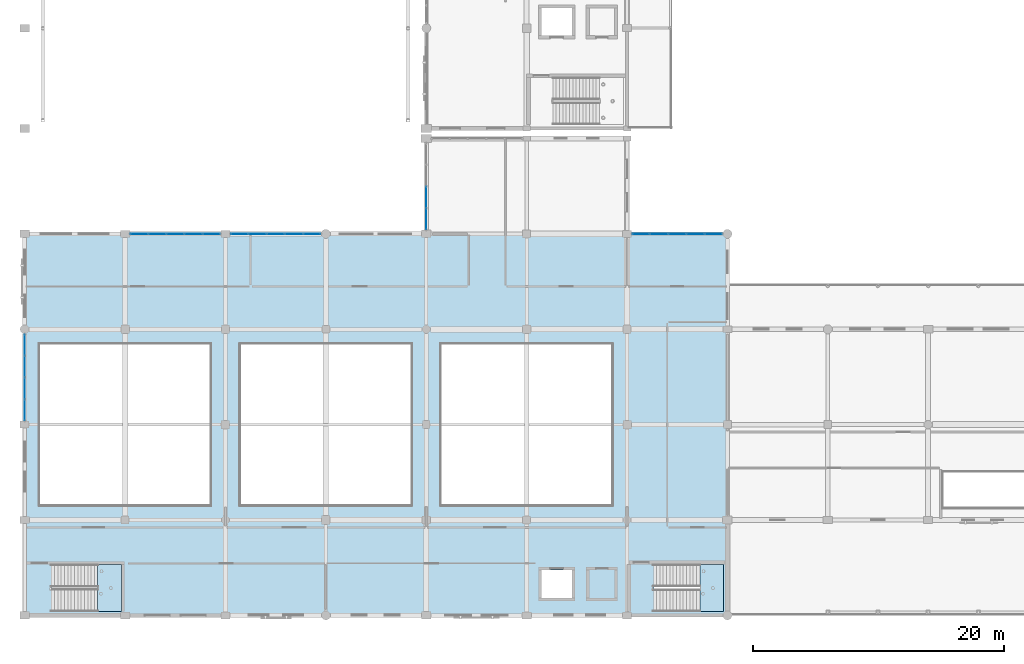
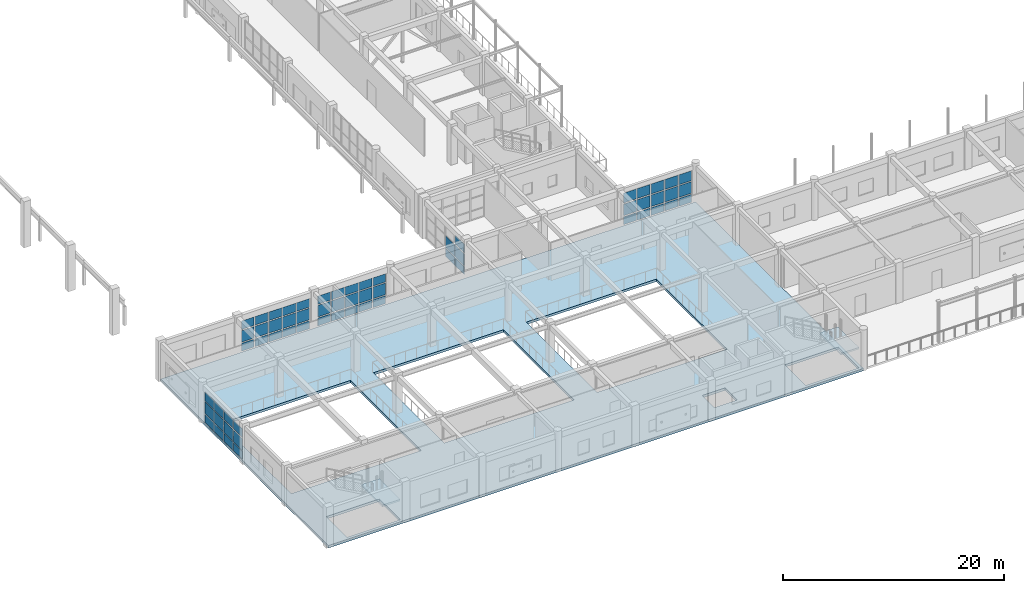
# One storey, part 111 of 160: 62 plates, 3 slabs, 7 elements without a shape of their own.
"""IFC4 building model written with IfcOpenShell, lengths in metres."""

from ifc_helpers import new_model, si_unit, direction, frame, origin, origin_2d, place, context, subcontext, project, spatial, polyline, rectangle, outline, extrude, material, layer, layer_set, type_object, element, aggregate, save


model = new_model("IFC4")

# Units and contexts
model_context = context("Model", 3, precision=1e-05, world=origin(), true_north=direction((0.0, 1.0)))
body_context = subcontext(model_context, "Body", "Model", "MODEL_VIEW")
ifc_project = project(units=[si_unit("LENGTHUNIT", "METRE"), si_unit("AREAUNIT", "SQUARE_METRE"), si_unit("VOLUMEUNIT", "CUBIC_METRE"), si_unit("PLANEANGLEUNIT", "RADIAN"), si_unit("MASSUNIT", "GRAM", prefix="KILO")], contexts=[model_context])

# Site, building, storey
site_placement = place(None, origin())
site = spatial("IfcSite", under=ifc_project, at=site_placement, CompositionType="ELEMENT")
building_placement = place(site_placement, origin())
building = spatial("IfcBuilding", under=site, at=building_placement, Name="Kharva Crest Polytechnic", CompositionType="ELEMENT")
storey_placement = place(building_placement, frame((0.0, 0.0, 4.5)))
storey = spatial("IfcBuildingStorey", under=building, at=storey_placement, Name="L01", CompositionType="ELEMENT", Elevation=4.5)

# Curtain wall, plates
ifc_material_1 = material(Name="Tempered insulated glass", Category="glass")
curtain_wall_type = type_object("IfcCurtainWallType", Name="CW-SYS-COURT", PredefinedType="USERDEFINED", material=ifc_material_1)
curtain_wall_1_placement = place(storey_placement, origin())
curtain_wall_1 = element("IfcCurtainWall", 1, at=curtain_wall_1_placement, inside=storey, type_object=curtain_wall_type, Name="L01 Glazed Curtain Wall CW-035", ObjectType="CURTAIN WALL", PredefinedType="USERDEFINED")
ifc_layer_1 = layer(ifc_material_1, 0.02392578125, Name="Tempered insulated glass")
ifc_layer_set_1 = layer_set([ifc_layer_1], Name="Tempered insulated glass")
plate_type = type_object("IfcPlateType", Name="CWP-GLZ-24", PredefinedType="CURTAIN_PANEL", material=ifc_layer_set_1)
plate_1_placement = place(storey_placement, frame((54.887939453125, 30.39990234375, 0.119873046875), z_axis=(0.0, 0.0, 1.0), x_axis=(-1.0, 0.0, 0.0)))
plate_1 = element("IfcPlate", 2, at=plate_1_placement, type_object=plate_type, Name="CW-035 panel 1.1", PredefinedType="CURTAIN_PANEL", context=body_context, shape_type="SweptSolid", body=[
    extrude(rectangle(XDim=1.333984375, YDim=0.02392578125, at=origin_2d()), origin(), (0.0, 0.0, 1.0), 0.8701171875),
])
plate_2_placement = place(storey_placement, frame((54.887939453125, 30.39990234375, 1.10986328125), z_axis=(0.0, 0.0, 1.0), x_axis=(-1.0, 0.0, 0.0)))
plate_2 = element("IfcPlate", 3, at=plate_2_placement, type_object=plate_type, Name="CW-035 panel 1.2", PredefinedType="CURTAIN_PANEL", context=body_context, shape_type="SweptSolid", body=[
    extrude(rectangle(XDim=1.333984375, YDim=0.02392578125, at=origin_2d()), origin(), (0.0, 0.0, 1.0), 1.280029296875),
])
plate_3_placement = place(storey_placement, frame((54.887939453125, 30.39990234375, 2.509765625), z_axis=(0.0, 0.0, 1.0), x_axis=(-1.0, 0.0, 0.0)))
plate_3 = element("IfcPlate", 4, at=plate_3_placement, type_object=plate_type, Name="CW-035 panel 1.3", PredefinedType="CURTAIN_PANEL", context=body_context, shape_type="SweptSolid", body=[
    extrude(rectangle(XDim=1.333984375, YDim=0.02392578125, at=origin_2d()), origin(), (0.0, 0.0, 1.0), 1.090087890625),
])
plate_4_placement = place(storey_placement, frame((53.4541015625, 30.39990234375, 0.119873046875), z_axis=(0.0, 0.0, 1.0), x_axis=(-1.0, 0.0, 0.0)))
plate_4 = element("IfcPlate", 5, at=plate_4_placement, type_object=plate_type, Name="CW-035 panel 2.1", PredefinedType="CURTAIN_PANEL", context=body_context, shape_type="SweptSolid", body=[
    extrude(rectangle(XDim=1.3740234375, YDim=0.02392578125, at=origin_2d()), origin(), (0.0, 0.0, 1.0), 0.8701171875),
])
plate_5_placement = place(storey_placement, frame((53.4541015625, 30.39990234375, 1.10986328125), z_axis=(0.0, 0.0, 1.0), x_axis=(-1.0, 0.0, 0.0)))
plate_5 = element("IfcPlate", 6, at=plate_5_placement, type_object=plate_type, Name="CW-035 panel 2.2", PredefinedType="CURTAIN_PANEL", context=body_context, shape_type="SweptSolid", body=[
    extrude(rectangle(XDim=1.3740234375, YDim=0.02392578125, at=origin_2d()), origin(), (0.0, 0.0, 1.0), 1.280029296875),
])
plate_6_placement = place(storey_placement, frame((53.4541015625, 30.39990234375, 2.509765625), z_axis=(0.0, 0.0, 1.0), x_axis=(-1.0, 0.0, 0.0)))
plate_6 = element("IfcPlate", 7, at=plate_6_placement, type_object=plate_type, Name="CW-035 panel 2.3", PredefinedType="CURTAIN_PANEL", context=body_context, shape_type="SweptSolid", body=[
    extrude(rectangle(XDim=1.3740234375, YDim=0.02392578125, at=origin_2d()), origin(), (0.0, 0.0, 1.0), 1.090087890625),
])
plate_7_placement = place(storey_placement, frame((52.0, 30.39990234375, 0.119873046875), z_axis=(0.0, 0.0, 1.0), x_axis=(-1.0, 0.0, 0.0)))
plate_7 = element("IfcPlate", 8, at=plate_7_placement, type_object=plate_type, Name="CW-035 panel 3.1", PredefinedType="CURTAIN_PANEL", context=body_context, shape_type="SweptSolid", body=[
    extrude(rectangle(XDim=1.3740234375, YDim=0.02392578125, at=origin_2d()), origin(), (0.0, 0.0, 1.0), 0.8701171875),
])
plate_8_placement = place(storey_placement, frame((52.0, 30.39990234375, 1.10986328125), z_axis=(0.0, 0.0, 1.0), x_axis=(-1.0, 0.0, 0.0)))
plate_8 = element("IfcPlate", 9, at=plate_8_placement, type_object=plate_type, Name="CW-035 panel 3.2", PredefinedType="CURTAIN_PANEL", context=body_context, shape_type="SweptSolid", body=[
    extrude(rectangle(XDim=1.3740234375, YDim=0.02392578125, at=origin_2d()), origin(), (0.0, 0.0, 1.0), 1.280029296875),
])
plate_9_placement = place(storey_placement, frame((52.0, 30.39990234375, 2.509765625), z_axis=(0.0, 0.0, 1.0), x_axis=(-1.0, 0.0, 0.0)))
plate_9 = element("IfcPlate", 10, at=plate_9_placement, type_object=plate_type, Name="CW-035 panel 3.3", PredefinedType="CURTAIN_PANEL", context=body_context, shape_type="SweptSolid", body=[
    extrude(rectangle(XDim=1.3740234375, YDim=0.02392578125, at=origin_2d()), origin(), (0.0, 0.0, 1.0), 1.090087890625),
])
plate_10_placement = place(storey_placement, frame((50.5458984375, 30.39990234375, 0.119873046875), z_axis=(0.0, 0.0, 1.0), x_axis=(-1.0, 0.0, 0.0)))
plate_10 = element("IfcPlate", 11, at=plate_10_placement, type_object=plate_type, Name="CW-035 panel 4.1", PredefinedType="CURTAIN_PANEL", context=body_context, shape_type="SweptSolid", body=[
    extrude(rectangle(XDim=1.3740234375, YDim=0.02392578125, at=origin_2d()), origin(), (0.0, 0.0, 1.0), 0.8701171875),
])
plate_11_placement = place(storey_placement, frame((50.5458984375, 30.39990234375, 1.10986328125), z_axis=(0.0, 0.0, 1.0), x_axis=(-1.0, 0.0, 0.0)))
plate_11 = element("IfcPlate", 12, at=plate_11_placement, type_object=plate_type, Name="CW-035 panel 4.2", PredefinedType="CURTAIN_PANEL", context=body_context, shape_type="SweptSolid", body=[
    extrude(rectangle(XDim=1.3740234375, YDim=0.02392578125, at=origin_2d()), origin(), (0.0, 0.0, 1.0), 1.280029296875),
])
plate_12_placement = place(storey_placement, frame((50.5458984375, 30.39990234375, 2.509765625), z_axis=(0.0, 0.0, 1.0), x_axis=(-1.0, 0.0, 0.0)))
plate_12 = element("IfcPlate", 13, at=plate_12_placement, type_object=plate_type, Name="CW-035 panel 4.3", PredefinedType="CURTAIN_PANEL", context=body_context, shape_type="SweptSolid", body=[
    extrude(rectangle(XDim=1.3740234375, YDim=0.02392578125, at=origin_2d()), origin(), (0.0, 0.0, 1.0), 1.090087890625),
])
plate_13_placement = place(storey_placement, frame((49.112060546875, 30.39990234375, 0.119873046875), z_axis=(0.0, 0.0, 1.0), x_axis=(-1.0, 0.0, 0.0)))
plate_13 = element("IfcPlate", 14, at=plate_13_placement, type_object=plate_type, Name="CW-035 panel 5.1", PredefinedType="CURTAIN_PANEL", context=body_context, shape_type="SweptSolid", body=[
    extrude(rectangle(XDim=1.333984375, YDim=0.02392578125, at=origin_2d()), origin(), (0.0, 0.0, 1.0), 0.8701171875),
])
plate_14_placement = place(storey_placement, frame((49.112060546875, 30.39990234375, 1.10986328125), z_axis=(0.0, 0.0, 1.0), x_axis=(-1.0, 0.0, 0.0)))
plate_14 = element("IfcPlate", 15, at=plate_14_placement, type_object=plate_type, Name="CW-035 panel 5.2", PredefinedType="CURTAIN_PANEL", context=body_context, shape_type="SweptSolid", body=[
    extrude(rectangle(XDim=1.333984375, YDim=0.02392578125, at=origin_2d()), origin(), (0.0, 0.0, 1.0), 1.280029296875),
])
plate_15_placement = place(storey_placement, frame((49.112060546875, 30.39990234375, 2.509765625), z_axis=(0.0, 0.0, 1.0), x_axis=(-1.0, 0.0, 0.0)))
plate_15 = element("IfcPlate", 16, at=plate_15_placement, type_object=plate_type, Name="CW-035 panel 5.3", PredefinedType="CURTAIN_PANEL", context=body_context, shape_type="SweptSolid", body=[
    extrude(rectangle(XDim=1.333984375, YDim=0.02392578125, at=origin_2d()), origin(), (0.0, 0.0, 1.0), 1.090087890625),
])
aggregate(curtain_wall_1, [plate_1, plate_2, plate_3, plate_4, plate_5, plate_6, plate_7, plate_8, plate_9, plate_10, plate_11, plate_12, plate_13, plate_14, plate_15])

curtain_wall_2_placement = place(storey_placement, origin())
curtain_wall_2 = element("IfcCurtainWall", 17, at=curtain_wall_2_placement, inside=storey, type_object=curtain_wall_type, Name="L01 Glazed Curtain Wall CW-037", ObjectType="CURTAIN WALL", PredefinedType="USERDEFINED")
plate_16_placement = place(storey_placement, frame((32.0, 33.31689453125, 0.119873046875), z_axis=(0.0, 0.0, 1.0), x_axis=(0.0, -1.0, 0.0)))
plate_16 = element("IfcPlate", 18, at=plate_16_placement, type_object=plate_type, Name="CW-037 panel 3.1", PredefinedType="CURTAIN_PANEL", context=body_context, shape_type="SweptSolid", body=[
    extrude(rectangle(XDim=1.6611328125, YDim=0.02392578125, at=origin_2d()), origin(), (0.0, 0.0, 1.0), 0.8701171875),
])
plate_17_placement = place(storey_placement, frame((32.0, 33.31689453125, 1.10986328125), z_axis=(0.0, 0.0, 1.0), x_axis=(0.0, -1.0, 0.0)))
plate_17 = element("IfcPlate", 19, at=plate_17_placement, type_object=plate_type, Name="CW-037 panel 3.2", PredefinedType="CURTAIN_PANEL", context=body_context, shape_type="SweptSolid", body=[
    extrude(rectangle(XDim=1.6611328125, YDim=0.02392578125, at=origin_2d()), origin(), (0.0, 0.0, 1.0), 1.280029296875),
])
plate_18_placement = place(storey_placement, frame((32.0, 31.595703125, 0.119873046875), z_axis=(0.0, 0.0, 1.0), x_axis=(0.0, -1.0, 0.0)))
plate_18 = element("IfcPlate", 20, at=plate_18_placement, type_object=plate_type, Name="CW-037 panel 4.1", PredefinedType="CURTAIN_PANEL", context=body_context, shape_type="SweptSolid", body=[
    extrude(rectangle(XDim=1.621337890625, YDim=0.02392578125, at=origin_2d()), origin(), (0.0, 0.0, 1.0), 0.8701171875),
])
plate_19_placement = place(storey_placement, frame((32.0, 31.595703125, 1.10986328125), z_axis=(0.0, 0.0, 1.0), x_axis=(0.0, -1.0, 0.0)))
plate_19 = element("IfcPlate", 21, at=plate_19_placement, type_object=plate_type, Name="CW-037 panel 4.2", PredefinedType="CURTAIN_PANEL", context=body_context, shape_type="SweptSolid", body=[
    extrude(rectangle(XDim=1.621337890625, YDim=0.02392578125, at=origin_2d()), origin(), (0.0, 0.0, 1.0), 1.280029296875),
])
plate_20_placement = place(storey_placement, frame((32.0, 31.595703125, 2.51025390625), z_axis=(0.0, 0.0, 1.0), x_axis=(0.0, -1.0, 0.0)))
plate_20 = element("IfcPlate", 22, at=plate_20_placement, type_object=plate_type, Name="CW-037 panel 4.3", PredefinedType="CURTAIN_PANEL", context=body_context, shape_type="SweptSolid", body=[
    extrude(rectangle(XDim=1.621337890625, YDim=0.02392578125, at=origin_2d()), origin(), (0.0, 0.0, 1.0), 0.969970703125),
])
aggregate(curtain_wall_2, [plate_16, plate_17, plate_18, plate_19, plate_20])

curtain_wall_3_placement = place(storey_placement, origin())
curtain_wall_3 = element("IfcCurtainWall", 23, at=curtain_wall_3_placement, inside=storey, type_object=curtain_wall_type, Name="L01 Glazed Curtain Wall CW-038", ObjectType="CURTAIN WALL", PredefinedType="USERDEFINED")
plate_21_placement = place(storey_placement, frame((22.887939453125, 30.39990234375, 0.119873046875), z_axis=(0.0, 0.0, 1.0), x_axis=(-1.0, 0.0, 0.0)))
plate_21 = element("IfcPlate", 24, at=plate_21_placement, type_object=plate_type, Name="CW-038 panel 1.1", PredefinedType="CURTAIN_PANEL", context=body_context, shape_type="SweptSolid", body=[
    extrude(rectangle(XDim=1.333984375, YDim=0.02392578125, at=origin_2d()), origin(), (0.0, 0.0, 1.0), 0.8701171875),
])
plate_22_placement = place(storey_placement, frame((22.887939453125, 30.39990234375, 1.10986328125), z_axis=(0.0, 0.0, 1.0), x_axis=(-1.0, 0.0, 0.0)))
plate_22 = element("IfcPlate", 25, at=plate_22_placement, type_object=plate_type, Name="CW-038 panel 1.2", PredefinedType="CURTAIN_PANEL", context=body_context, shape_type="SweptSolid", body=[
    extrude(rectangle(XDim=1.333984375, YDim=0.02392578125, at=origin_2d()), origin(), (0.0, 0.0, 1.0), 1.280029296875),
])
plate_23_placement = place(storey_placement, frame((22.887939453125, 30.39990234375, 2.51025390625), z_axis=(0.0, 0.0, 1.0), x_axis=(-1.0, 0.0, 0.0)))
plate_23 = element("IfcPlate", 26, at=plate_23_placement, type_object=plate_type, Name="CW-038 panel 1.3", PredefinedType="CURTAIN_PANEL", context=body_context, shape_type="SweptSolid", body=[
    extrude(rectangle(XDim=1.333984375, YDim=0.02392578125, at=origin_2d()), origin(), (0.0, 0.0, 1.0), 0.909912109375),
])
plate_24_placement = place(storey_placement, frame((21.4541015625, 30.39990234375, 0.119873046875), z_axis=(0.0, 0.0, 1.0), x_axis=(-1.0, 0.0, 0.0)))
plate_24 = element("IfcPlate", 27, at=plate_24_placement, type_object=plate_type, Name="CW-038 panel 2.1", PredefinedType="CURTAIN_PANEL", context=body_context, shape_type="SweptSolid", body=[
    extrude(rectangle(XDim=1.3740234375, YDim=0.02392578125, at=origin_2d()), origin(), (0.0, 0.0, 1.0), 0.8701171875),
])
plate_25_placement = place(storey_placement, frame((21.4541015625, 30.39990234375, 1.10986328125), z_axis=(0.0, 0.0, 1.0), x_axis=(-1.0, 0.0, 0.0)))
plate_25 = element("IfcPlate", 28, at=plate_25_placement, type_object=plate_type, Name="CW-038 panel 2.2", PredefinedType="CURTAIN_PANEL", context=body_context, shape_type="SweptSolid", body=[
    extrude(rectangle(XDim=1.3740234375, YDim=0.02392578125, at=origin_2d()), origin(), (0.0, 0.0, 1.0), 1.280029296875),
])
plate_26_placement = place(storey_placement, frame((21.4541015625, 30.39990234375, 2.51025390625), z_axis=(0.0, 0.0, 1.0), x_axis=(-1.0, 0.0, 0.0)))
plate_26 = element("IfcPlate", 29, at=plate_26_placement, type_object=plate_type, Name="CW-038 panel 2.3", PredefinedType="CURTAIN_PANEL", context=body_context, shape_type="SweptSolid", body=[
    extrude(rectangle(XDim=1.3740234375, YDim=0.02392578125, at=origin_2d()), origin(), (0.0, 0.0, 1.0), 0.909912109375),
])
plate_27_placement = place(storey_placement, frame((20.0, 30.39990234375, 0.119873046875), z_axis=(0.0, 0.0, 1.0), x_axis=(-1.0, 0.0, 0.0)))
plate_27 = element("IfcPlate", 30, at=plate_27_placement, type_object=plate_type, Name="CW-038 panel 3.1", PredefinedType="CURTAIN_PANEL", context=body_context, shape_type="SweptSolid", body=[
    extrude(rectangle(XDim=1.3740234375, YDim=0.02392578125, at=origin_2d()), origin(), (0.0, 0.0, 1.0), 0.8701171875),
])
plate_28_placement = place(storey_placement, frame((20.0, 30.39990234375, 1.10986328125), z_axis=(0.0, 0.0, 1.0), x_axis=(-1.0, 0.0, 0.0)))
plate_28 = element("IfcPlate", 31, at=plate_28_placement, type_object=plate_type, Name="CW-038 panel 3.2", PredefinedType="CURTAIN_PANEL", context=body_context, shape_type="SweptSolid", body=[
    extrude(rectangle(XDim=1.3740234375, YDim=0.02392578125, at=origin_2d()), origin(), (0.0, 0.0, 1.0), 1.280029296875),
])
plate_29_placement = place(storey_placement, frame((20.0, 30.39990234375, 2.51025390625), z_axis=(0.0, 0.0, 1.0), x_axis=(-1.0, 0.0, 0.0)))
plate_29 = element("IfcPlate", 32, at=plate_29_placement, type_object=plate_type, Name="CW-038 panel 3.3", PredefinedType="CURTAIN_PANEL", context=body_context, shape_type="SweptSolid", body=[
    extrude(rectangle(XDim=1.3740234375, YDim=0.02392578125, at=origin_2d()), origin(), (0.0, 0.0, 1.0), 0.909912109375),
])
plate_30_placement = place(storey_placement, frame((18.5458984375, 30.39990234375, 0.119873046875), z_axis=(0.0, 0.0, 1.0), x_axis=(-1.0, 0.0, 0.0)))
plate_30 = element("IfcPlate", 33, at=plate_30_placement, type_object=plate_type, Name="CW-038 panel 4.1", PredefinedType="CURTAIN_PANEL", context=body_context, shape_type="SweptSolid", body=[
    extrude(rectangle(XDim=1.3740234375, YDim=0.02392578125, at=origin_2d()), origin(), (0.0, 0.0, 1.0), 0.8701171875),
])
plate_31_placement = place(storey_placement, frame((18.5458984375, 30.39990234375, 1.10986328125), z_axis=(0.0, 0.0, 1.0), x_axis=(-1.0, 0.0, 0.0)))
plate_31 = element("IfcPlate", 34, at=plate_31_placement, type_object=plate_type, Name="CW-038 panel 4.2", PredefinedType="CURTAIN_PANEL", context=body_context, shape_type="SweptSolid", body=[
    extrude(rectangle(XDim=1.3740234375, YDim=0.02392578125, at=origin_2d()), origin(), (0.0, 0.0, 1.0), 1.280029296875),
])
plate_32_placement = place(storey_placement, frame((18.5458984375, 30.39990234375, 2.51025390625), z_axis=(0.0, 0.0, 1.0), x_axis=(-1.0, 0.0, 0.0)))
plate_32 = element("IfcPlate", 35, at=plate_32_placement, type_object=plate_type, Name="CW-038 panel 4.3", PredefinedType="CURTAIN_PANEL", context=body_context, shape_type="SweptSolid", body=[
    extrude(rectangle(XDim=1.3740234375, YDim=0.02392578125, at=origin_2d()), origin(), (0.0, 0.0, 1.0), 0.909912109375),
])
plate_33_placement = place(storey_placement, frame((17.112060546875, 30.39990234375, 0.119873046875), z_axis=(0.0, 0.0, 1.0), x_axis=(-1.0, 0.0, 0.0)))
plate_33 = element("IfcPlate", 36, at=plate_33_placement, type_object=plate_type, Name="CW-038 panel 5.1", PredefinedType="CURTAIN_PANEL", context=body_context, shape_type="SweptSolid", body=[
    extrude(rectangle(XDim=1.333984375, YDim=0.02392578125, at=origin_2d()), origin(), (0.0, 0.0, 1.0), 0.8701171875),
])
plate_34_placement = place(storey_placement, frame((17.112060546875, 30.39990234375, 1.10986328125), z_axis=(0.0, 0.0, 1.0), x_axis=(-1.0, 0.0, 0.0)))
plate_34 = element("IfcPlate", 37, at=plate_34_placement, type_object=plate_type, Name="CW-038 panel 5.2", PredefinedType="CURTAIN_PANEL", context=body_context, shape_type="SweptSolid", body=[
    extrude(rectangle(XDim=1.333984375, YDim=0.02392578125, at=origin_2d()), origin(), (0.0, 0.0, 1.0), 1.280029296875),
])
plate_35_placement = place(storey_placement, frame((17.112060546875, 30.39990234375, 2.51025390625), z_axis=(0.0, 0.0, 1.0), x_axis=(-1.0, 0.0, 0.0)))
plate_35 = element("IfcPlate", 38, at=plate_35_placement, type_object=plate_type, Name="CW-038 panel 5.3", PredefinedType="CURTAIN_PANEL", context=body_context, shape_type="SweptSolid", body=[
    extrude(rectangle(XDim=1.333984375, YDim=0.02392578125, at=origin_2d()), origin(), (0.0, 0.0, 1.0), 0.909912109375),
])
aggregate(curtain_wall_3, [plate_21, plate_22, plate_23, plate_24, plate_25, plate_26, plate_27, plate_28, plate_29, plate_30, plate_31, plate_32, plate_33, plate_34, plate_35])

curtain_wall_4_placement = place(storey_placement, origin())
curtain_wall_4 = element("IfcCurtainWall", 39, at=curtain_wall_4_placement, inside=storey, type_object=curtain_wall_type, Name="L01 Glazed Curtain Wall CW-039", ObjectType="CURTAIN WALL", PredefinedType="USERDEFINED")
plate_36_placement = place(storey_placement, frame((14.889404296875, 30.39990234375, 0.119873046875), z_axis=(0.0, 0.0, 1.0), x_axis=(-1.0, 0.0, 0.0)))
plate_36 = element("IfcPlate", 40, at=plate_36_placement, type_object=plate_type, Name="CW-039 panel 1.1", PredefinedType="CURTAIN_PANEL", context=body_context, shape_type="SweptSolid", body=[
    extrude(rectangle(XDim=1.3310546875, YDim=0.02392578125, at=origin_2d()), origin(), (0.0, 0.0, 1.0), 0.8701171875),
])
plate_37_placement = place(storey_placement, frame((14.889404296875, 30.39990234375, 1.10986328125), z_axis=(0.0, 0.0, 1.0), x_axis=(-1.0, 0.0, 0.0)))
plate_37 = element("IfcPlate", 41, at=plate_37_placement, type_object=plate_type, Name="CW-039 panel 1.2", PredefinedType="CURTAIN_PANEL", context=body_context, shape_type="SweptSolid", body=[
    extrude(rectangle(XDim=1.3310546875, YDim=0.02392578125, at=origin_2d()), origin(), (0.0, 0.0, 1.0), 1.280029296875),
])
plate_38_placement = place(storey_placement, frame((14.889404296875, 30.39990234375, 2.510009765625), z_axis=(0.0, 0.0, 1.0), x_axis=(-1.0, 0.0, 0.0)))
plate_38 = element("IfcPlate", 42, at=plate_38_placement, type_object=plate_type, Name="CW-039 panel 1.3", PredefinedType="CURTAIN_PANEL", context=body_context, shape_type="SweptSolid", body=[
    extrude(rectangle(XDim=1.3310546875, YDim=0.02392578125, at=origin_2d()), origin(), (0.0, 0.0, 1.0), 0.93994140625),
])
plate_39_placement = place(storey_placement, frame((13.45849609375, 30.39990234375, 0.119873046875), z_axis=(0.0, 0.0, 1.0), x_axis=(-1.0, 0.0, 0.0)))
plate_39 = element("IfcPlate", 43, at=plate_39_placement, type_object=plate_type, Name="CW-039 panel 2.1", PredefinedType="CURTAIN_PANEL", context=body_context, shape_type="SweptSolid", body=[
    extrude(rectangle(XDim=1.37109375, YDim=0.02392578125, at=origin_2d()), origin(), (0.0, 0.0, 1.0), 0.8701171875),
])
plate_40_placement = place(storey_placement, frame((13.45849609375, 30.39990234375, 1.10986328125), z_axis=(0.0, 0.0, 1.0), x_axis=(-1.0, 0.0, 0.0)))
plate_40 = element("IfcPlate", 44, at=plate_40_placement, type_object=plate_type, Name="CW-039 panel 2.2", PredefinedType="CURTAIN_PANEL", context=body_context, shape_type="SweptSolid", body=[
    extrude(rectangle(XDim=1.37109375, YDim=0.02392578125, at=origin_2d()), origin(), (0.0, 0.0, 1.0), 1.280029296875),
])
plate_41_placement = place(storey_placement, frame((13.45849609375, 30.39990234375, 2.510009765625), z_axis=(0.0, 0.0, 1.0), x_axis=(-1.0, 0.0, 0.0)))
plate_41 = element("IfcPlate", 45, at=plate_41_placement, type_object=plate_type, Name="CW-039 panel 2.3", PredefinedType="CURTAIN_PANEL", context=body_context, shape_type="SweptSolid", body=[
    extrude(rectangle(XDim=1.37109375, YDim=0.02392578125, at=origin_2d()), origin(), (0.0, 0.0, 1.0), 0.93994140625),
])
plate_42_placement = place(storey_placement, frame((12.007568359375, 30.39990234375, 0.119873046875), z_axis=(0.0, 0.0, 1.0), x_axis=(-1.0, 0.0, 0.0)))
plate_42 = element("IfcPlate", 46, at=plate_42_placement, type_object=plate_type, Name="CW-039 panel 3.1", PredefinedType="CURTAIN_PANEL", context=body_context, shape_type="SweptSolid", body=[
    extrude(rectangle(XDim=1.37109375, YDim=0.02392578125, at=origin_2d()), origin(), (0.0, 0.0, 1.0), 0.8701171875),
])
plate_43_placement = place(storey_placement, frame((12.007568359375, 30.39990234375, 1.10986328125), z_axis=(0.0, 0.0, 1.0), x_axis=(-1.0, 0.0, 0.0)))
plate_43 = element("IfcPlate", 47, at=plate_43_placement, type_object=plate_type, Name="CW-039 panel 3.2", PredefinedType="CURTAIN_PANEL", context=body_context, shape_type="SweptSolid", body=[
    extrude(rectangle(XDim=1.37109375, YDim=0.02392578125, at=origin_2d()), origin(), (0.0, 0.0, 1.0), 1.280029296875),
])
plate_44_placement = place(storey_placement, frame((12.007568359375, 30.39990234375, 2.510009765625), z_axis=(0.0, 0.0, 1.0), x_axis=(-1.0, 0.0, 0.0)))
plate_44 = element("IfcPlate", 48, at=plate_44_placement, type_object=plate_type, Name="CW-039 panel 3.3", PredefinedType="CURTAIN_PANEL", context=body_context, shape_type="SweptSolid", body=[
    extrude(rectangle(XDim=1.37109375, YDim=0.02392578125, at=origin_2d()), origin(), (0.0, 0.0, 1.0), 0.93994140625),
])
plate_45_placement = place(storey_placement, frame((10.556396484375, 30.39990234375, 0.119873046875), z_axis=(0.0, 0.0, 1.0), x_axis=(-1.0, 0.0, 0.0)))
plate_45 = element("IfcPlate", 49, at=plate_45_placement, type_object=plate_type, Name="CW-039 panel 4.1", PredefinedType="CURTAIN_PANEL", context=body_context, shape_type="SweptSolid", body=[
    extrude(rectangle(XDim=1.37109375, YDim=0.02392578125, at=origin_2d()), origin(), (0.0, 0.0, 1.0), 0.8701171875),
])
plate_46_placement = place(storey_placement, frame((10.556396484375, 30.39990234375, 1.10986328125), z_axis=(0.0, 0.0, 1.0), x_axis=(-1.0, 0.0, 0.0)))
plate_46 = element("IfcPlate", 50, at=plate_46_placement, type_object=plate_type, Name="CW-039 panel 4.2", PredefinedType="CURTAIN_PANEL", context=body_context, shape_type="SweptSolid", body=[
    extrude(rectangle(XDim=1.37109375, YDim=0.02392578125, at=origin_2d()), origin(), (0.0, 0.0, 1.0), 1.280029296875),
])
plate_47_placement = place(storey_placement, frame((10.556396484375, 30.39990234375, 2.510009765625), z_axis=(0.0, 0.0, 1.0), x_axis=(-1.0, 0.0, 0.0)))
plate_47 = element("IfcPlate", 51, at=plate_47_placement, type_object=plate_type, Name="CW-039 panel 4.3", PredefinedType="CURTAIN_PANEL", context=body_context, shape_type="SweptSolid", body=[
    extrude(rectangle(XDim=1.37109375, YDim=0.02392578125, at=origin_2d()), origin(), (0.0, 0.0, 1.0), 0.93994140625),
])
plate_48_placement = place(storey_placement, frame((9.12548828125, 30.39990234375, 0.119873046875), z_axis=(0.0, 0.0, 1.0), x_axis=(-1.0, 0.0, 0.0)))
plate_48 = element("IfcPlate", 52, at=plate_48_placement, type_object=plate_type, Name="CW-039 panel 5.1", PredefinedType="CURTAIN_PANEL", context=body_context, shape_type="SweptSolid", body=[
    extrude(rectangle(XDim=1.3310546875, YDim=0.02392578125, at=origin_2d()), origin(), (0.0, 0.0, 1.0), 0.8701171875),
])
plate_49_placement = place(storey_placement, frame((9.12548828125, 30.39990234375, 1.10986328125), z_axis=(0.0, 0.0, 1.0), x_axis=(-1.0, 0.0, 0.0)))
plate_49 = element("IfcPlate", 53, at=plate_49_placement, type_object=plate_type, Name="CW-039 panel 5.2", PredefinedType="CURTAIN_PANEL", context=body_context, shape_type="SweptSolid", body=[
    extrude(rectangle(XDim=1.3310546875, YDim=0.02392578125, at=origin_2d()), origin(), (0.0, 0.0, 1.0), 1.280029296875),
])
plate_50_placement = place(storey_placement, frame((9.12548828125, 30.39990234375, 2.510009765625), z_axis=(0.0, 0.0, 1.0), x_axis=(-1.0, 0.0, 0.0)))
plate_50 = element("IfcPlate", 54, at=plate_50_placement, type_object=plate_type, Name="CW-039 panel 5.3", PredefinedType="CURTAIN_PANEL", context=body_context, shape_type="SweptSolid", body=[
    extrude(rectangle(XDim=1.3310546875, YDim=0.02392578125, at=origin_2d()), origin(), (0.0, 0.0, 1.0), 0.93994140625),
])
aggregate(curtain_wall_4, [plate_36, plate_37, plate_38, plate_39, plate_40, plate_41, plate_42, plate_43, plate_44, plate_45, plate_46, plate_47, plate_48, plate_49, plate_50])

curtain_wall_5_placement = place(storey_placement, origin())
curtain_wall_5 = element("IfcCurtainWall", 55, at=curtain_wall_5_placement, inside=storey, type_object=curtain_wall_type, Name="L01 Glazed Curtain Wall CW-040", ObjectType="CURTAIN WALL", PredefinedType="USERDEFINED")
plate_51_placement = place(storey_placement, frame((0.0, 21.545654296875, 0.119873046875), z_axis=(0.0, 0.0, 1.0), x_axis=(0.0, -1.0, 0.0)))
plate_51 = element("IfcPlate", 56, at=plate_51_placement, type_object=plate_type, Name="CW-040 panel 1.1", PredefinedType="CURTAIN_PANEL", context=body_context, shape_type="SweptSolid", body=[
    extrude(rectangle(XDim=1.61865234375, YDim=0.02392578125, at=origin_2d()), origin(), (0.0, 0.0, 1.0), 0.8701171875),
])
plate_52_placement = place(storey_placement, frame((0.0, 21.545654296875, 1.10986328125), z_axis=(0.0, 0.0, 1.0), x_axis=(0.0, -1.0, 0.0)))
plate_52 = element("IfcPlate", 57, at=plate_52_placement, type_object=plate_type, Name="CW-040 panel 1.2", PredefinedType="CURTAIN_PANEL", context=body_context, shape_type="SweptSolid", body=[
    extrude(rectangle(XDim=1.61865234375, YDim=0.02392578125, at=origin_2d()), origin(), (0.0, 0.0, 1.0), 1.280029296875),
])
plate_53_placement = place(storey_placement, frame((0.0, 21.545654296875, 2.51025390625), z_axis=(0.0, 0.0, 1.0), x_axis=(0.0, -1.0, 0.0)))
plate_53 = element("IfcPlate", 58, at=plate_53_placement, type_object=plate_type, Name="CW-040 panel 1.3", PredefinedType="CURTAIN_PANEL", context=body_context, shape_type="SweptSolid", body=[
    extrude(rectangle(XDim=1.61865234375, YDim=0.02392578125, at=origin_2d()), origin(), (0.0, 0.0, 1.0), 0.969970703125),
])
plate_54_placement = place(storey_placement, frame((0.0, 19.826904296875, 0.119873046875), z_axis=(0.0, 0.0, 1.0), x_axis=(0.0, -1.0, 0.0)))
plate_54 = element("IfcPlate", 59, at=plate_54_placement, type_object=plate_type, Name="CW-040 panel 2.1", PredefinedType="CURTAIN_PANEL", context=body_context, shape_type="SweptSolid", body=[
    extrude(rectangle(XDim=1.65869140625, YDim=0.02392578125, at=origin_2d()), origin(), (0.0, 0.0, 1.0), 0.8701171875),
])
plate_55_placement = place(storey_placement, frame((0.0, 19.826904296875, 1.10986328125), z_axis=(0.0, 0.0, 1.0), x_axis=(0.0, -1.0, 0.0)))
plate_55 = element("IfcPlate", 60, at=plate_55_placement, type_object=plate_type, Name="CW-040 panel 2.2", PredefinedType="CURTAIN_PANEL", context=body_context, shape_type="SweptSolid", body=[
    extrude(rectangle(XDim=1.65869140625, YDim=0.02392578125, at=origin_2d()), origin(), (0.0, 0.0, 1.0), 1.280029296875),
])
plate_56_placement = place(storey_placement, frame((0.0, 19.826904296875, 2.51025390625), z_axis=(0.0, 0.0, 1.0), x_axis=(0.0, -1.0, 0.0)))
plate_56 = element("IfcPlate", 61, at=plate_56_placement, type_object=plate_type, Name="CW-040 panel 2.3", PredefinedType="CURTAIN_PANEL", context=body_context, shape_type="SweptSolid", body=[
    extrude(rectangle(XDim=1.65869140625, YDim=0.02392578125, at=origin_2d()), origin(), (0.0, 0.0, 1.0), 0.969970703125),
])
plate_57_placement = place(storey_placement, frame((0.0, 18.088134765625, 0.119873046875), z_axis=(0.0, 0.0, 1.0), x_axis=(0.0, -1.0, 0.0)))
plate_57 = element("IfcPlate", 62, at=plate_57_placement, type_object=plate_type, Name="CW-040 panel 3.1", PredefinedType="CURTAIN_PANEL", context=body_context, shape_type="SweptSolid", body=[
    extrude(rectangle(XDim=1.65869140625, YDim=0.02392578125, at=origin_2d()), origin(), (0.0, 0.0, 1.0), 0.8701171875),
])
plate_58_placement = place(storey_placement, frame((0.0, 18.088134765625, 1.10986328125), z_axis=(0.0, 0.0, 1.0), x_axis=(0.0, -1.0, 0.0)))
plate_58 = element("IfcPlate", 63, at=plate_58_placement, type_object=plate_type, Name="CW-040 panel 3.2", PredefinedType="CURTAIN_PANEL", context=body_context, shape_type="SweptSolid", body=[
    extrude(rectangle(XDim=1.65869140625, YDim=0.02392578125, at=origin_2d()), origin(), (0.0, 0.0, 1.0), 1.280029296875),
])
plate_59_placement = place(storey_placement, frame((0.0, 18.088134765625, 2.51025390625), z_axis=(0.0, 0.0, 1.0), x_axis=(0.0, -1.0, 0.0)))
plate_59 = element("IfcPlate", 64, at=plate_59_placement, type_object=plate_type, Name="CW-040 panel 3.3", PredefinedType="CURTAIN_PANEL", context=body_context, shape_type="SweptSolid", body=[
    extrude(rectangle(XDim=1.65869140625, YDim=0.02392578125, at=origin_2d()), origin(), (0.0, 0.0, 1.0), 0.969970703125),
])
plate_60_placement = place(storey_placement, frame((0.0, 16.369384765625, 0.119873046875), z_axis=(0.0, 0.0, 1.0), x_axis=(0.0, -1.0, 0.0)))
plate_60 = element("IfcPlate", 65, at=plate_60_placement, type_object=plate_type, Name="CW-040 panel 4.1", PredefinedType="CURTAIN_PANEL", context=body_context, shape_type="SweptSolid", body=[
    extrude(rectangle(XDim=1.61865234375, YDim=0.02392578125, at=origin_2d()), origin(), (0.0, 0.0, 1.0), 0.8701171875),
])
plate_61_placement = place(storey_placement, frame((0.0, 16.369384765625, 1.10986328125), z_axis=(0.0, 0.0, 1.0), x_axis=(0.0, -1.0, 0.0)))
plate_61 = element("IfcPlate", 66, at=plate_61_placement, type_object=plate_type, Name="CW-040 panel 4.2", PredefinedType="CURTAIN_PANEL", context=body_context, shape_type="SweptSolid", body=[
    extrude(rectangle(XDim=1.61865234375, YDim=0.02392578125, at=origin_2d()), origin(), (0.0, 0.0, 1.0), 1.280029296875),
])
plate_62_placement = place(storey_placement, frame((0.0, 16.369384765625, 2.51025390625), z_axis=(0.0, 0.0, 1.0), x_axis=(0.0, -1.0, 0.0)))
plate_62 = element("IfcPlate", 67, at=plate_62_placement, type_object=plate_type, Name="CW-040 panel 4.3", PredefinedType="CURTAIN_PANEL", context=body_context, shape_type="SweptSolid", body=[
    extrude(rectangle(XDim=1.61865234375, YDim=0.02392578125, at=origin_2d()), origin(), (0.0, 0.0, 1.0), 0.969970703125),
])
aggregate(curtain_wall_5, [plate_51, plate_52, plate_53, plate_54, plate_55, plate_56, plate_57, plate_58, plate_59, plate_60, plate_61, plate_62])

# Slab
ifc_material_2 = material(Name="Concrete C35/45", Category="concrete")
ifc_layer_2 = layer(ifc_material_2, 0.27001953125, Name="Concrete C35/45")
ifc_layer_set_2 = layer_set([ifc_layer_2], Name="Concrete C35/45")
slab_type_1 = type_object("IfcSlabType", Name="SLB-FLR-270", PredefinedType="FLOOR", material=ifc_layer_set_2)
slab_1_placement = place(storey_placement, frame((0.0, 0.0, -0.27001953125)))
element("IfcSlab", 68, at=slab_1_placement, inside=storey, type_object=slab_type_1, Name="L01 Structural Slab SW_LECT", PredefinedType="FLOOR", context=body_context, shape_type="SweptSolid", body=[
    extrude(outline(polyline([(0.0, 0.0), (56.0, 0.0), (56.0, 30.39990234375), (0.0, 30.39990234375), (0.0, 0.0)]), holes=[polyline([(50.1298828125, 0.300048828125), (55.699951171875, 0.300048828125), (55.699951171875, 4.06005859375), (50.1298828125, 4.06005859375), (50.1298828125, 0.300048828125)]), polyline([(41.199951171875, 1.39990234375), (43.60009765625, 1.39990234375), (43.60009765625, 3.60009765625), (41.199951171875, 3.60009765625), (41.199951171875, 1.39990234375)]), polyline([(2.14990234375, 0.300048828125), (7.699951171875, 0.300048828125), (7.699951171875, 4.06005859375), (2.14990234375, 4.06005859375), (2.14990234375, 0.300048828125)]), polyline([(1.199951171875, 8.800048828125), (14.800048828125, 8.800048828125), (14.800048828125, 21.60009765625), (1.199951171875, 21.60009765625), (1.199951171875, 8.800048828125)]), polyline([(17.199951171875, 8.800048828125), (30.800048828125, 8.800048828125), (30.800048828125, 21.60009765625), (17.199951171875, 21.60009765625), (17.199951171875, 8.800048828125)]), polyline([(33.199951171875, 8.800048828125), (46.800048828125, 8.800048828125), (46.800048828125, 21.60009765625), (33.199951171875, 21.60009765625), (33.199951171875, 8.800048828125)])]), origin(), (0.0, 0.0, 1.0), 0.27001953125),
])

# Stair, slab
stair_type_1 = type_object("IfcStairType", Name="STR-DOGLEG-1780", PredefinedType="TWO_STRAIGHT_RUN_STAIR", material=ifc_material_2)
stair_1_placement = place(storey_placement, origin())
stair_1 = element("IfcStair", 69, at=stair_1_placement, inside=storey, type_object=stair_type_1, Name="L01 South-West Lecture Core C1", PredefinedType="TWO_STRAIGHT_RUN_STAIR")
ifc_layer_3 = layer(ifc_material_2, 0.199951171875, Name="Concrete C35/45")
ifc_layer_set_3 = layer_set([ifc_layer_3], Name="Concrete C35/45")
slab_type_2 = type_object("IfcSlabType", Name="SLB-LAND-200", PredefinedType="LANDING", material=ifc_layer_set_3)
slab_2_placement = place(storey_placement, frame((0.0, 0.0, 2.050048828125)))
slab_2 = element("IfcSlab", 70, at=slab_2_placement, type_object=slab_type_2, Name="ST-01 landing 1", PredefinedType="LANDING", context=body_context, shape_type="SweptSolid", body=[
    extrude(outline(polyline([(53.800048828125, 0.300048828125), (55.699951171875, 0.300048828125), (55.699951171875, 4.06005859375), (53.800048828125, 4.06005859375), (53.800048828125, 0.300048828125)])), origin(), (0.0, 0.0, 1.0), 0.199951171875),
])
aggregate(stair_1, [slab_2])

stair_type_2 = type_object("IfcStairType", Name="STR-DOGLEG-1800", PredefinedType="TWO_STRAIGHT_RUN_STAIR", material=ifc_material_2)
stair_2_placement = place(storey_placement, origin())
stair_2 = element("IfcStair", 71, at=stair_2_placement, inside=storey, type_object=stair_type_2, Name="L01 West Lecture Wing Stair C10", PredefinedType="TWO_STRAIGHT_RUN_STAIR")
slab_3_placement = place(storey_placement, frame((0.0, 0.0, 2.050048828125)))
slab_3 = element("IfcSlab", 72, at=slab_3_placement, type_object=slab_type_2, Name="ST-10 landing 1", PredefinedType="LANDING", context=body_context, shape_type="SweptSolid", body=[
    extrude(outline(polyline([(5.820068359375, 0.300048828125), (7.699951171875, 0.300048828125), (7.699951171875, 4.06005859375), (5.820068359375, 4.06005859375), (5.820068359375, 0.300048828125)])), origin(), (0.0, 0.0, 1.0), 0.199951171875),
])
aggregate(stair_2, [slab_3])

save(model, "model.ifc")
